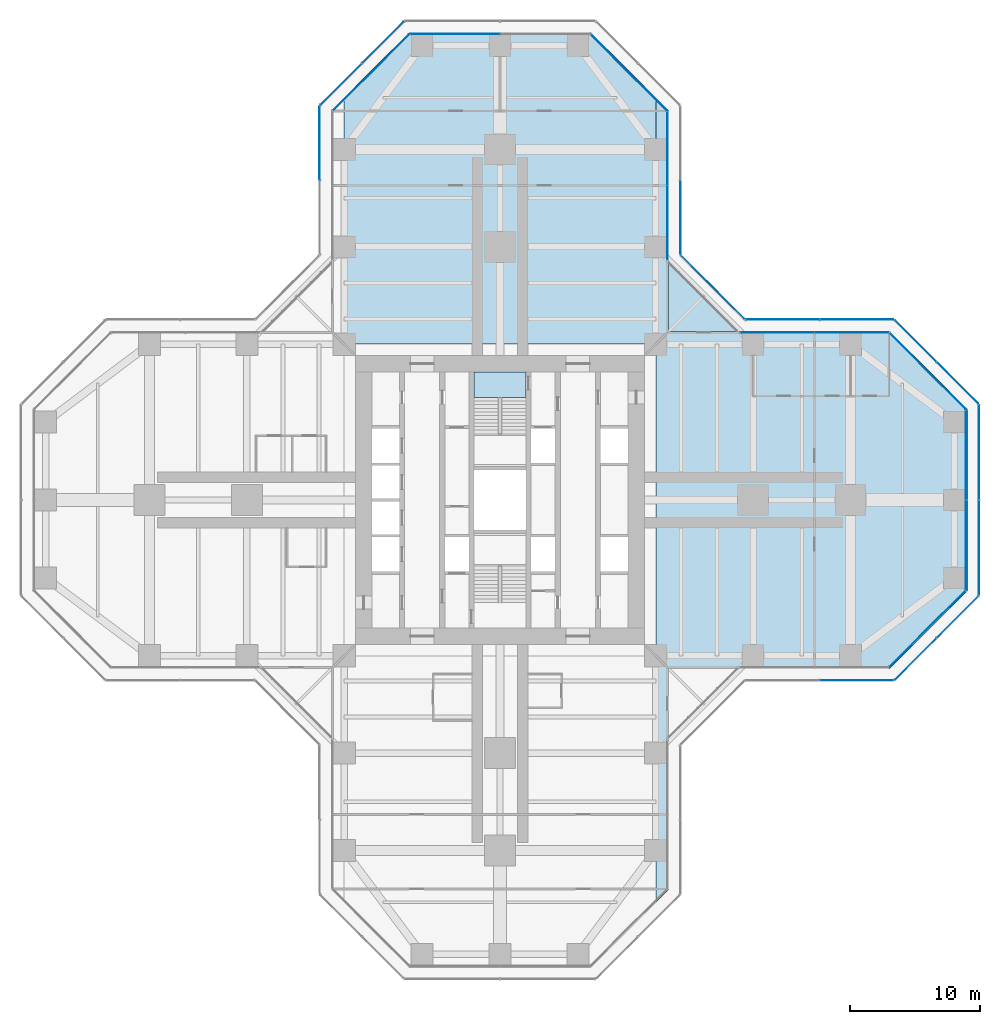
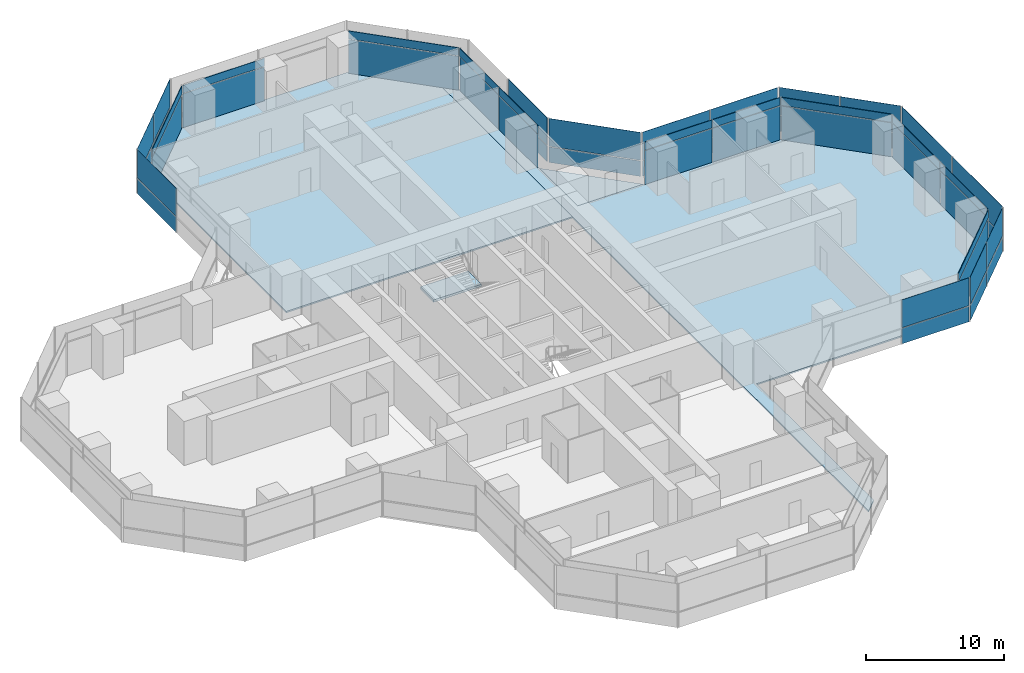
# One storey, part 16 of 22: 50 plates, 4 slabs, 18 elements without a shape of their own.
"""IFC4 building model written with IfcOpenShell, lengths in metres."""

from ifc_helpers import new_model, si_unit, direction, frame, origin, origin_2d, place, context, subcontext, project, spatial, polyline, rectangle, outline, extrude, material, layer, layer_set, type_object, element, aggregate, save


model = new_model("IFC4")

# Units and contexts
model_context = context("Model", 3, precision=1e-05, world=origin(), true_north=direction((0.0, 1.0)))
body_context = subcontext(model_context, "Body", "Model", "MODEL_VIEW")
ifc_project = project(units=[si_unit("LENGTHUNIT", "METRE"), si_unit("AREAUNIT", "SQUARE_METRE"), si_unit("VOLUMEUNIT", "CUBIC_METRE"), si_unit("PLANEANGLEUNIT", "RADIAN"), si_unit("MASSUNIT", "GRAM", prefix="KILO")], contexts=[model_context])

# Site, building, storey
site_placement = place(None, origin())
site = spatial("IfcSite", under=ifc_project, at=site_placement, CompositionType="ELEMENT")
building_placement = place(site_placement, origin())
building = spatial("IfcBuilding", under=site, at=building_placement, Name="Mizan Broadcast Tower", CompositionType="ELEMENT")
storey_placement = place(building_placement, frame((0.0, 0.0, 94.199951171875)))
storey = spatial("IfcBuildingStorey", under=building, at=storey_placement, Name="L20", CompositionType="ELEMENT", Elevation=94.199951171875)

# Slabs
ifc_material_1 = material(Name="Concrete C32/40", Category="concrete")
ifc_layer_1 = layer(ifc_material_1, 0.1298828125)
ifc_layer_set_1 = layer_set([ifc_layer_1], Name="Concrete C32/40")
slab_type_1 = type_object("IfcSlabType", Name="COMPOSITE DECK SLAB 130", PredefinedType="FLOOR", material=ifc_layer_set_1)
slab_1_placement = place(storey_placement, frame((0.0, 0.0, -0.1298828125)))
element("IfcSlab", 1, at=slab_1_placement, inside=storey, type_object=slab_type_1, Name="Floor slab L20 east arm", PredefinedType="FLOOR", context=body_context, shape_type="SweptSolid", body=[
    extrude(outline(polyline([(12.0, -31.0), (13.0, -30.0), (13.0, -13.0), (30.0, -13.0), (36.0, -7.0), (36.0, 7.0), (30.0, 13.0), (13.0, 13.0), (13.0, 30.0), (12.0, 31.0), (12.0, -31.0)])), origin(), (0.0, 0.0, 1.0), 0.1298828125),
])
slab_2_placement = place(storey_placement, frame((0.0, 0.0, -0.1298828125)))
element("IfcSlab", 2, at=slab_2_placement, inside=storey, type_object=slab_type_1, Name="Floor slab L20 north arm", PredefinedType="FLOOR", context=body_context, shape_type="SweptSolid", body=[
    extrude(outline(polyline([(-7.0, 36.0), (-12.0, 31.0), (-12.0, 12.0), (12.0, 12.0), (12.0, 31.0), (7.0, 36.0), (-7.0, 36.0)])), origin(), (0.0, 0.0, 1.0), 0.1298828125),
])

# Curtain wall, plate
ifc_material_2 = material(Name="Aluminium framed glazing", Category="aluminium")
curtain_wall_type_1 = type_object("IfcCurtainWallType", Name="INNER SKIN LOW ZONE", PredefinedType="USERDEFINED", material=ifc_material_2)
curtain_wall_1_placement = place(storey_placement, origin())
curtain_wall_1 = element("IfcCurtainWall", 3, at=curtain_wall_1_placement, inside=storey, type_object=curtain_wall_type_1, Name="Inner skin low zone L20 E chamfer", ObjectType="INNER SKIN LOW ZONE", PredefinedType="USERDEFINED")
ifc_material_3 = material(Name="Double glazing, clear low-e", Category="glass")
ifc_layer_2 = layer(ifc_material_3, 0.028076171875)
ifc_layer_set_2 = layer_set([ifc_layer_2], Name="Double glazing, clear low-e")
plate_type_1 = type_object("IfcPlateType", Name="INNER SKIN GLAZING UNIT", PredefinedType="CURTAIN_PANEL", material=ifc_layer_set_2)
plate_1_placement = place(storey_placement, frame((32.92919921875, -9.92919921875, 0.0), z_axis=(0.0, 0.0, 1.0), x_axis=(0.707106781187, 0.707106781187, 0.0)))
plate_1 = element("IfcPlate", 4, at=plate_1_placement, type_object=plate_type_1, Name="Inner skin low zone L20 E chamfer panel 1.1", PredefinedType="CURTAIN_PANEL", context=body_context, shape_type="SweptSolid", body=[
    extrude(rectangle(XDim=8.282470703125, YDim=0.028076171875, at=origin_2d()), origin(), (0.0, 0.0, 1.0), 3.0),
])

# Curtain wall, plates
curtain_wall_2_placement = place(storey_placement, origin())
curtain_wall_2 = element("IfcCurtainWall", 5, at=curtain_wall_2_placement, inside=storey, type_object=curtain_wall_type_1, Name="Inner skin low zone L20 E end", ObjectType="INNER SKIN LOW ZONE", PredefinedType="USERDEFINED")
plate_2_placement = place(storey_placement, frame((35.89990234375, -3.46435546875, 0.0), z_axis=(0.0, 0.0, 1.0), x_axis=(0.0, 1.0, 0.0)))
plate_2 = element("IfcPlate", 6, at=plate_2_placement, type_object=plate_type_1, Name="Inner skin low zone L20 E end panel 1.1", PredefinedType="CURTAIN_PANEL", context=body_context, shape_type="SweptSolid", body=[
    extrude(rectangle(XDim=6.86865234375, YDim=0.028076171875, at=origin_2d()), origin(), (0.0, 0.0, 1.0), 3.0),
])
plate_3_placement = place(storey_placement, frame((35.89990234375, 3.46435546875, 0.0), z_axis=(0.0, 0.0, 1.0), x_axis=(0.0, 1.0, 0.0)))
plate_3 = element("IfcPlate", 7, at=plate_3_placement, type_object=plate_type_1, Name="Inner skin low zone L20 E end panel 2.1", PredefinedType="CURTAIN_PANEL", context=body_context, shape_type="SweptSolid", body=[
    extrude(rectangle(XDim=6.86865234375, YDim=0.028076171875, at=origin_2d()), origin(), (0.0, 0.0, 1.0), 3.0),
])

# Curtain wall, plate
curtain_wall_3_placement = place(storey_placement, origin())
curtain_wall_3 = element("IfcCurtainWall", 8, at=curtain_wall_3_placement, inside=storey, type_object=curtain_wall_type_1, Name="Inner skin low zone L20 E chamfer", ObjectType="INNER SKIN LOW ZONE", PredefinedType="USERDEFINED")
plate_4_placement = place(storey_placement, frame((32.92919921875, 9.92919921875, 0.0), z_axis=(0.0, 0.0, 1.0), x_axis=(-0.707106781187, 0.707106781187, 0.0)))
plate_4 = element("IfcPlate", 9, at=plate_4_placement, type_object=plate_type_1, Name="Inner skin low zone L20 E chamfer panel 1.1", PredefinedType="CURTAIN_PANEL", context=body_context, shape_type="SweptSolid", body=[
    extrude(rectangle(XDim=8.282470703125, YDim=0.028076171875, at=origin_2d()), origin(), (0.0, 0.0, 1.0), 3.0),
])

# Curtain wall, plates
curtain_wall_4_placement = place(storey_placement, origin())
curtain_wall_4 = element("IfcCurtainWall", 10, at=curtain_wall_4_placement, inside=storey, type_object=curtain_wall_type_1, Name="Inner skin low zone L20 E side", ObjectType="INNER SKIN LOW ZONE", PredefinedType="USERDEFINED")
plate_5_placement = place(storey_placement, frame((27.078857421875, 12.89990234375, 0.0), z_axis=(0.0, 0.0, 1.0), x_axis=(-1.0, 0.0, 0.0)))
plate_5 = element("IfcPlate", 11, at=plate_5_placement, type_object=plate_type_1, Name="Inner skin low zone L20 E side panel 1.1", PredefinedType="CURTAIN_PANEL", context=body_context, shape_type="SweptSolid", body=[
    extrude(rectangle(XDim=5.639404296875, YDim=0.028076171875, at=origin_2d()), origin(), (0.0, 0.0, 1.0), 3.0),
])
plate_6_placement = place(storey_placement, frame((21.379638671875, 12.89990234375, 0.0), z_axis=(0.0, 0.0, 1.0), x_axis=(-1.0, 0.0, 0.0)))
plate_6 = element("IfcPlate", 12, at=plate_6_placement, type_object=plate_type_1, Name="Inner skin low zone L20 E side panel 2.1", PredefinedType="CURTAIN_PANEL", context=body_context, shape_type="SweptSolid", body=[
    extrude(rectangle(XDim=5.639404296875, YDim=0.028076171875, at=origin_2d()), origin(), (0.0, 0.0, 1.0), 3.0),
])

curtain_wall_5_placement = place(storey_placement, origin())
curtain_wall_5 = element("IfcCurtainWall", 13, at=curtain_wall_5_placement, inside=storey, type_object=curtain_wall_type_1, Name="Inner skin low zone L20 N side", ObjectType="INNER SKIN LOW ZONE", PredefinedType="USERDEFINED")
plate_7_placement = place(storey_placement, frame((12.89990234375, 21.379638671875, 0.0), z_axis=(0.0, 0.0, 1.0), x_axis=(0.0, 1.0, 0.0)))
plate_7 = element("IfcPlate", 14, at=plate_7_placement, type_object=plate_type_1, Name="Inner skin low zone L20 N side panel 1.1", PredefinedType="CURTAIN_PANEL", context=body_context, shape_type="SweptSolid", body=[
    extrude(rectangle(XDim=5.639404296875, YDim=0.028076171875, at=origin_2d()), origin(), (0.0, 0.0, 1.0), 3.0),
])
plate_8_placement = place(storey_placement, frame((12.89990234375, 27.078857421875, 0.0), z_axis=(0.0, 0.0, 1.0), x_axis=(0.0, 1.0, 0.0)))
plate_8 = element("IfcPlate", 15, at=plate_8_placement, type_object=plate_type_1, Name="Inner skin low zone L20 N side panel 2.1", PredefinedType="CURTAIN_PANEL", context=body_context, shape_type="SweptSolid", body=[
    extrude(rectangle(XDim=5.639404296875, YDim=0.028076171875, at=origin_2d()), origin(), (0.0, 0.0, 1.0), 3.0),
])

# Curtain wall, plate
curtain_wall_6_placement = place(storey_placement, origin())
curtain_wall_6 = element("IfcCurtainWall", 16, at=curtain_wall_6_placement, inside=storey, type_object=curtain_wall_type_1, Name="Inner skin low zone L20 N chamfer", ObjectType="INNER SKIN LOW ZONE", PredefinedType="USERDEFINED")
plate_9_placement = place(storey_placement, frame((9.92919921875, 32.92919921875, 0.0), z_axis=(0.0, 0.0, 1.0), x_axis=(-0.707106781187, 0.707106781187, 0.0)))
plate_9 = element("IfcPlate", 17, at=plate_9_placement, type_object=plate_type_1, Name="Inner skin low zone L20 N chamfer panel 1.1", PredefinedType="CURTAIN_PANEL", context=body_context, shape_type="SweptSolid", body=[
    extrude(rectangle(XDim=8.282470703125, YDim=0.028076171875, at=origin_2d()), origin(), (0.0, 0.0, 1.0), 3.0),
])

curtain_wall_7_placement = place(storey_placement, origin())
curtain_wall_7 = element("IfcCurtainWall", 18, at=curtain_wall_7_placement, inside=storey, type_object=curtain_wall_type_1, Name="Inner skin low zone L20 N end", ObjectType="INNER SKIN LOW ZONE", PredefinedType="USERDEFINED")
plate_10_placement = place(storey_placement, frame((-3.46435546875, 35.89990234375, 0.0), z_axis=(0.0, 0.0, 1.0), x_axis=(-1.0, 0.0, 0.0)))
plate_10 = element("IfcPlate", 19, at=plate_10_placement, type_object=plate_type_1, Name="Inner skin low zone L20 N end panel 2.1", PredefinedType="CURTAIN_PANEL", context=body_context, shape_type="SweptSolid", body=[
    extrude(rectangle(XDim=6.86865234375, YDim=0.028076171875, at=origin_2d()), origin(), (0.0, 0.0, 1.0), 3.0),
])

curtain_wall_8_placement = place(storey_placement, origin())
curtain_wall_8 = element("IfcCurtainWall", 20, at=curtain_wall_8_placement, inside=storey, type_object=curtain_wall_type_1, Name="Inner skin low zone L20 N chamfer", ObjectType="INNER SKIN LOW ZONE", PredefinedType="USERDEFINED")
plate_11_placement = place(storey_placement, frame((-9.92919921875, 32.92919921875, 0.0), z_axis=(0.0, 0.0, 1.0), x_axis=(-0.707106781187, -0.707106781187, 0.0)))
plate_11 = element("IfcPlate", 21, at=plate_11_placement, type_object=plate_type_1, Name="Inner skin low zone L20 N chamfer panel 1.1", PredefinedType="CURTAIN_PANEL", context=body_context, shape_type="SweptSolid", body=[
    extrude(rectangle(XDim=8.282470703125, YDim=0.028076171875, at=origin_2d()), origin(), (0.0, 0.0, 1.0), 3.0),
])

# Plate
ifc_material_4 = material(Name="Insulated aluminium spandrel panel, pale anodised", Category="aluminium")
ifc_layer_3 = layer(ifc_material_4, 0.050048828125)
ifc_layer_set_3 = layer_set([ifc_layer_3], Name="Insulated aluminium spandrel panel, pale anodised")
plate_type_2 = type_object("IfcPlateType", Name="INNER SKIN SPANDREL PANEL", PredefinedType="CURTAIN_PANEL", material=ifc_layer_set_3)
plate_12_placement = place(storey_placement, frame((32.92919921875, -9.92919921875, 3.06005859375), z_axis=(0.0, 0.0, 1.0), x_axis=(0.707106781187, 0.707106781187, 0.0)))
plate_12 = element("IfcPlate", 22, at=plate_12_placement, type_object=plate_type_2, Name="Inner skin low zone L20 E chamfer panel 1.2", PredefinedType="CURTAIN_PANEL", context=body_context, shape_type="SweptSolid", body=[
    extrude(rectangle(XDim=8.282470703125, YDim=0.050048828125, at=origin_2d()), origin(), (0.0, 0.0, 1.0), 0.7099609375),
])

aggregate(curtain_wall_1, [plate_1, plate_12])

plate_13_placement = place(storey_placement, frame((35.89990234375, -3.46435546875, 3.06005859375), z_axis=(0.0, 0.0, 1.0), x_axis=(0.0, 1.0, 0.0)))
plate_13 = element("IfcPlate", 23, at=plate_13_placement, type_object=plate_type_2, Name="Inner skin low zone L20 E end panel 1.2", PredefinedType="CURTAIN_PANEL", context=body_context, shape_type="SweptSolid", body=[
    extrude(rectangle(XDim=6.86865234375, YDim=0.050048828125, at=origin_2d()), origin(), (0.0, 0.0, 1.0), 0.7099609375),
])

plate_14_placement = place(storey_placement, frame((35.89990234375, 3.46435546875, 3.06005859375), z_axis=(0.0, 0.0, 1.0), x_axis=(0.0, 1.0, 0.0)))
plate_14 = element("IfcPlate", 24, at=plate_14_placement, type_object=plate_type_2, Name="Inner skin low zone L20 E end panel 2.2", PredefinedType="CURTAIN_PANEL", context=body_context, shape_type="SweptSolid", body=[
    extrude(rectangle(XDim=6.86865234375, YDim=0.050048828125, at=origin_2d()), origin(), (0.0, 0.0, 1.0), 0.7099609375),
])

aggregate(curtain_wall_2, [plate_2, plate_13, plate_3, plate_14])

plate_15_placement = place(storey_placement, frame((32.92919921875, 9.92919921875, 3.06005859375), z_axis=(0.0, 0.0, 1.0), x_axis=(-0.707106781187, 0.707106781187, 0.0)))
plate_15 = element("IfcPlate", 25, at=plate_15_placement, type_object=plate_type_2, Name="Inner skin low zone L20 E chamfer panel 1.2", PredefinedType="CURTAIN_PANEL", context=body_context, shape_type="SweptSolid", body=[
    extrude(rectangle(XDim=8.282470703125, YDim=0.050048828125, at=origin_2d()), origin(), (0.0, 0.0, 1.0), 0.7099609375),
])

aggregate(curtain_wall_3, [plate_4, plate_15])

plate_16_placement = place(storey_placement, frame((27.078857421875, 12.89990234375, 3.06005859375), z_axis=(0.0, 0.0, 1.0), x_axis=(-1.0, 0.0, 0.0)))
plate_16 = element("IfcPlate", 26, at=plate_16_placement, type_object=plate_type_2, Name="Inner skin low zone L20 E side panel 1.2", PredefinedType="CURTAIN_PANEL", context=body_context, shape_type="SweptSolid", body=[
    extrude(rectangle(XDim=5.639404296875, YDim=0.050048828125, at=origin_2d()), origin(), (0.0, 0.0, 1.0), 0.7099609375),
])

plate_17_placement = place(storey_placement, frame((21.379638671875, 12.89990234375, 3.06005859375), z_axis=(0.0, 0.0, 1.0), x_axis=(-1.0, 0.0, 0.0)))
plate_17 = element("IfcPlate", 27, at=plate_17_placement, type_object=plate_type_2, Name="Inner skin low zone L20 E side panel 2.2", PredefinedType="CURTAIN_PANEL", context=body_context, shape_type="SweptSolid", body=[
    extrude(rectangle(XDim=5.639404296875, YDim=0.050048828125, at=origin_2d()), origin(), (0.0, 0.0, 1.0), 0.7099609375),
])

aggregate(curtain_wall_4, [plate_5, plate_16, plate_6, plate_17])

plate_18_placement = place(storey_placement, frame((12.89990234375, 21.379638671875, 3.06005859375), z_axis=(0.0, 0.0, 1.0), x_axis=(0.0, 1.0, 0.0)))
plate_18 = element("IfcPlate", 28, at=plate_18_placement, type_object=plate_type_2, Name="Inner skin low zone L20 N side panel 1.2", PredefinedType="CURTAIN_PANEL", context=body_context, shape_type="SweptSolid", body=[
    extrude(rectangle(XDim=5.639404296875, YDim=0.050048828125, at=origin_2d()), origin(), (0.0, 0.0, 1.0), 0.7099609375),
])

plate_19_placement = place(storey_placement, frame((12.89990234375, 27.078857421875, 3.06005859375), z_axis=(0.0, 0.0, 1.0), x_axis=(0.0, 1.0, 0.0)))
plate_19 = element("IfcPlate", 29, at=plate_19_placement, type_object=plate_type_2, Name="Inner skin low zone L20 N side panel 2.2", PredefinedType="CURTAIN_PANEL", context=body_context, shape_type="SweptSolid", body=[
    extrude(rectangle(XDim=5.639404296875, YDim=0.050048828125, at=origin_2d()), origin(), (0.0, 0.0, 1.0), 0.7099609375),
])

aggregate(curtain_wall_5, [plate_7, plate_18, plate_8, plate_19])

plate_20_placement = place(storey_placement, frame((9.92919921875, 32.92919921875, 3.06005859375), z_axis=(0.0, 0.0, 1.0), x_axis=(-0.707106781187, 0.707106781187, 0.0)))
plate_20 = element("IfcPlate", 30, at=plate_20_placement, type_object=plate_type_2, Name="Inner skin low zone L20 N chamfer panel 1.2", PredefinedType="CURTAIN_PANEL", context=body_context, shape_type="SweptSolid", body=[
    extrude(rectangle(XDim=8.282470703125, YDim=0.050048828125, at=origin_2d()), origin(), (0.0, 0.0, 1.0), 0.7099609375),
])

aggregate(curtain_wall_6, [plate_9, plate_20])

plate_21_placement = place(storey_placement, frame((-3.46435546875, 35.89990234375, 3.06005859375), z_axis=(0.0, 0.0, 1.0), x_axis=(-1.0, 0.0, 0.0)))
plate_21 = element("IfcPlate", 31, at=plate_21_placement, type_object=plate_type_2, Name="Inner skin low zone L20 N end panel 2.2", PredefinedType="CURTAIN_PANEL", context=body_context, shape_type="SweptSolid", body=[
    extrude(rectangle(XDim=6.86865234375, YDim=0.050048828125, at=origin_2d()), origin(), (0.0, 0.0, 1.0), 0.7099609375),
])

aggregate(curtain_wall_7, [plate_10, plate_21])

plate_22_placement = place(storey_placement, frame((-9.92919921875, 32.92919921875, 3.06005859375), z_axis=(0.0, 0.0, 1.0), x_axis=(-0.707106781187, -0.707106781187, 0.0)))
plate_22 = element("IfcPlate", 32, at=plate_22_placement, type_object=plate_type_2, Name="Inner skin low zone L20 N chamfer panel 1.2", PredefinedType="CURTAIN_PANEL", context=body_context, shape_type="SweptSolid", body=[
    extrude(rectangle(XDim=8.282470703125, YDim=0.050048828125, at=origin_2d()), origin(), (0.0, 0.0, 1.0), 0.7099609375),
])

aggregate(curtain_wall_8, [plate_11, plate_22])

# Curtain wall, plates
ifc_material_5 = material(Name="Aluminium framed glazing", Category="aluminium")
curtain_wall_type_2 = type_object("IfcCurtainWallType", Name="OUTER SKIN", PredefinedType="USERDEFINED", material=ifc_material_5)
curtain_wall_9_placement = place(storey_placement, origin())
curtain_wall_9 = element("IfcCurtainWall", 33, at=curtain_wall_9_placement, inside=storey, type_object=curtain_wall_type_2, Name="Outer skin L20 E chamfer", ObjectType="OUTER SKIN", PredefinedType="USERDEFINED")
ifc_material_6 = material(Name="Laminated clear glass", Category="glass")
ifc_layer_4 = layer(ifc_material_6, 0.02001953125)
ifc_layer_set_4 = layer_set([ifc_layer_4], Name="Laminated clear glass")
plate_type_3 = type_object("IfcPlateType", Name="OUTER SKIN CLEAR GLASS", PredefinedType="CURTAIN_PANEL", material=ifc_layer_set_4)
plate_23_placement = place(storey_placement, frame((32.018798828125, -12.254150390625, 0.0), z_axis=(0.0, 0.0, 1.0), x_axis=(0.707106781187, 0.707106781187, 0.0)))
plate_23 = element("IfcPlate", 34, at=plate_23_placement, type_object=plate_type_3, Name="Outer skin L20 E chamfer panel 1.1", PredefinedType="CURTAIN_PANEL", context=body_context, shape_type="SweptSolid", body=[
    extrude(rectangle(XDim=4.495361328125, YDim=0.02001953125, at=origin_2d()), origin(), (0.0, 0.0, 1.0), 1.3701171875),
])
plate_24_placement = place(storey_placement, frame((32.018798828125, -12.254150390625, 1.43017578125), z_axis=(0.0, 0.0, 1.0), x_axis=(0.707106781187, 0.707106781187, 0.0)))
plate_24 = element("IfcPlate", 35, at=plate_24_placement, type_object=plate_type_3, Name="Outer skin L20 E chamfer panel 1.2", PredefinedType="CURTAIN_PANEL", context=body_context, shape_type="SweptSolid", body=[
    extrude(rectangle(XDim=4.495361328125, YDim=0.02001953125, at=origin_2d()), origin(), (0.0, 0.0, 1.0), 2.469970703125),
])

curtain_wall_10_placement = place(storey_placement, origin())
curtain_wall_10 = element("IfcCurtainWall", 36, at=curtain_wall_10_placement, inside=storey, type_object=curtain_wall_type_2, Name="Outer skin L20 E end", ObjectType="OUTER SKIN", PredefinedType="USERDEFINED")
plate_25_placement = place(storey_placement, frame((36.89990234375, -3.66650390625, 0.0), z_axis=(0.0, 0.0, 1.0), x_axis=(0.0, 1.0, 0.0)))
plate_25 = element("IfcPlate", 37, at=plate_25_placement, type_object=plate_type_3, Name="Outer skin L20 E end panel 1.1", PredefinedType="CURTAIN_PANEL", context=body_context, shape_type="SweptSolid", body=[
    extrude(rectangle(XDim=7.252685546875, YDim=0.02001953125, at=origin_2d()), origin(), (0.0, 0.0, 1.0), 1.3701171875),
])
plate_26_placement = place(storey_placement, frame((36.89990234375, -3.66650390625, 1.43017578125), z_axis=(0.0, 0.0, 1.0), x_axis=(0.0, 1.0, 0.0)))
plate_26 = element("IfcPlate", 38, at=plate_26_placement, type_object=plate_type_3, Name="Outer skin L20 E end panel 1.2", PredefinedType="CURTAIN_PANEL", context=body_context, shape_type="SweptSolid", body=[
    extrude(rectangle(XDim=7.252685546875, YDim=0.02001953125, at=origin_2d()), origin(), (0.0, 0.0, 1.0), 2.469970703125),
])

curtain_wall_11_placement = place(storey_placement, origin())
curtain_wall_11 = element("IfcCurtainWall", 39, at=curtain_wall_11_placement, inside=storey, type_object=curtain_wall_type_2, Name="Outer skin L20 E chamfer", ObjectType="OUTER SKIN", PredefinedType="USERDEFINED")
plate_27_placement = place(storey_placement, frame((35.254150390625, 9.018798828125, 0.0), z_axis=(0.0, 0.0, 1.0), x_axis=(-0.707106781187, 0.707106781187, 0.0)))
plate_27 = element("IfcPlate", 40, at=plate_27_placement, type_object=plate_type_3, Name="Outer skin L20 E chamfer panel 1.1", PredefinedType="CURTAIN_PANEL", context=body_context, shape_type="SweptSolid", body=[
    extrude(rectangle(XDim=4.495361328125, YDim=0.02001953125, at=origin_2d()), origin(), (0.0, 0.0, 1.0), 1.3701171875),
])
plate_28_placement = place(storey_placement, frame((35.254150390625, 9.018798828125, 1.43017578125), z_axis=(0.0, 0.0, 1.0), x_axis=(-0.707106781187, 0.707106781187, 0.0)))
plate_28 = element("IfcPlate", 41, at=plate_28_placement, type_object=plate_type_3, Name="Outer skin L20 E chamfer panel 1.2", PredefinedType="CURTAIN_PANEL", context=body_context, shape_type="SweptSolid", body=[
    extrude(rectangle(XDim=4.495361328125, YDim=0.02001953125, at=origin_2d()), origin(), (0.0, 0.0, 1.0), 2.469970703125),
])

curtain_wall_12_placement = place(storey_placement, origin())
curtain_wall_12 = element("IfcCurtainWall", 42, at=curtain_wall_12_placement, inside=storey, type_object=curtain_wall_type_2, Name="Outer skin L20 E side", ObjectType="OUTER SKIN", PredefinedType="USERDEFINED")
plate_29_placement = place(storey_placement, frame((27.477783203125, 13.89990234375, 0.0), z_axis=(0.0, 0.0, 1.0), x_axis=(-1.0, 0.0, 0.0)))
plate_29 = element("IfcPlate", 43, at=plate_29_placement, type_object=plate_type_3, Name="Outer skin L20 E side panel 1.1", PredefinedType="CURTAIN_PANEL", context=body_context, shape_type="SweptSolid", body=[
    extrude(rectangle(XDim=5.6298828125, YDim=0.02001953125, at=origin_2d()), origin(), (0.0, 0.0, 1.0), 1.3701171875),
])
plate_30_placement = place(storey_placement, frame((27.477783203125, 13.89990234375, 1.43017578125), z_axis=(0.0, 0.0, 1.0), x_axis=(-1.0, 0.0, 0.0)))
plate_30 = element("IfcPlate", 44, at=plate_30_placement, type_object=plate_type_3, Name="Outer skin L20 E side panel 1.2", PredefinedType="CURTAIN_PANEL", context=body_context, shape_type="SweptSolid", body=[
    extrude(rectangle(XDim=5.6298828125, YDim=0.02001953125, at=origin_2d()), origin(), (0.0, 0.0, 1.0), 2.469970703125),
])
plate_31_placement = place(storey_placement, frame((21.767822265625, 13.89990234375, 0.0), z_axis=(0.0, 0.0, 1.0), x_axis=(-1.0, 0.0, 0.0)))
plate_31 = element("IfcPlate", 45, at=plate_31_placement, type_object=plate_type_3, Name="Outer skin L20 E side panel 2.1", PredefinedType="CURTAIN_PANEL", context=body_context, shape_type="SweptSolid", body=[
    extrude(rectangle(XDim=5.6298828125, YDim=0.02001953125, at=origin_2d()), origin(), (0.0, 0.0, 1.0), 1.3701171875),
])
plate_32_placement = place(storey_placement, frame((21.767822265625, 13.89990234375, 1.43017578125), z_axis=(0.0, 0.0, 1.0), x_axis=(-1.0, 0.0, 0.0)))
plate_32 = element("IfcPlate", 46, at=plate_32_placement, type_object=plate_type_3, Name="Outer skin L20 E side panel 2.2", PredefinedType="CURTAIN_PANEL", context=body_context, shape_type="SweptSolid", body=[
    extrude(rectangle(XDim=5.6298828125, YDim=0.02001953125, at=origin_2d()), origin(), (0.0, 0.0, 1.0), 2.469970703125),
])
aggregate(curtain_wall_12, [plate_29, plate_30, plate_31, plate_32])

curtain_wall_13_placement = place(storey_placement, origin())
curtain_wall_13 = element("IfcCurtainWall", 47, at=curtain_wall_13_placement, inside=storey, type_object=curtain_wall_type_2, Name="Outer skin L20 E chamfer", ObjectType="OUTER SKIN", PredefinedType="USERDEFINED")
plate_33_placement = place(storey_placement, frame((16.386474609375, 16.386474609375, 0.0), z_axis=(0.0, 0.0, 1.0), x_axis=(-0.707106781187, 0.707106781187, 0.0)))
plate_33 = element("IfcPlate", 48, at=plate_33_placement, type_object=plate_type_3, Name="Outer skin L20 E chamfer panel 1.1", PredefinedType="CURTAIN_PANEL", context=body_context, shape_type="SweptSolid", body=[
    extrude(rectangle(XDim=6.87255859375, YDim=0.02001953125, at=origin_2d()), origin(), (0.0, 0.0, 1.0), 1.3701171875),
])
plate_34_placement = place(storey_placement, frame((16.386474609375, 16.386474609375, 1.43017578125), z_axis=(0.0, 0.0, 1.0), x_axis=(-0.707106781187, 0.707106781187, 0.0)))
plate_34 = element("IfcPlate", 49, at=plate_34_placement, type_object=plate_type_3, Name="Outer skin L20 E chamfer panel 1.2", PredefinedType="CURTAIN_PANEL", context=body_context, shape_type="SweptSolid", body=[
    extrude(rectangle(XDim=6.87255859375, YDim=0.02001953125, at=origin_2d()), origin(), (0.0, 0.0, 1.0), 2.469970703125),
])
aggregate(curtain_wall_13, [plate_33, plate_34])

curtain_wall_14_placement = place(storey_placement, origin())
curtain_wall_14 = element("IfcCurtainWall", 50, at=curtain_wall_14_placement, inside=storey, type_object=curtain_wall_type_2, Name="Outer skin L20 N side", ObjectType="OUTER SKIN", PredefinedType="USERDEFINED")
plate_35_placement = place(storey_placement, frame((13.89990234375, 21.767822265625, 0.0), z_axis=(0.0, 0.0, 1.0), x_axis=(0.0, 1.0, 0.0)))
plate_35 = element("IfcPlate", 51, at=plate_35_placement, type_object=plate_type_3, Name="Outer skin L20 N side panel 1.1", PredefinedType="CURTAIN_PANEL", context=body_context, shape_type="SweptSolid", body=[
    extrude(rectangle(XDim=5.6298828125, YDim=0.02001953125, at=origin_2d()), origin(), (0.0, 0.0, 1.0), 1.3701171875),
])
plate_36_placement = place(storey_placement, frame((13.89990234375, 21.767822265625, 1.43017578125), z_axis=(0.0, 0.0, 1.0), x_axis=(0.0, 1.0, 0.0)))
plate_36 = element("IfcPlate", 52, at=plate_36_placement, type_object=plate_type_3, Name="Outer skin L20 N side panel 1.2", PredefinedType="CURTAIN_PANEL", context=body_context, shape_type="SweptSolid", body=[
    extrude(rectangle(XDim=5.6298828125, YDim=0.02001953125, at=origin_2d()), origin(), (0.0, 0.0, 1.0), 2.469970703125),
])
aggregate(curtain_wall_14, [plate_35, plate_36])

curtain_wall_15_placement = place(storey_placement, origin())
curtain_wall_15 = element("IfcCurtainWall", 53, at=curtain_wall_15_placement, inside=storey, type_object=curtain_wall_type_2, Name="Outer skin L20 N chamfer", ObjectType="OUTER SKIN", PredefinedType="USERDEFINED")
plate_37_placement = place(storey_placement, frame((-9.018798828125, 35.254150390625, 0.0), z_axis=(0.0, 0.0, 1.0), x_axis=(-0.707106781187, -0.707106781187, 0.0)))
plate_37 = element("IfcPlate", 54, at=plate_37_placement, type_object=plate_type_3, Name="Outer skin L20 N chamfer panel 1.1", PredefinedType="CURTAIN_PANEL", context=body_context, shape_type="SweptSolid", body=[
    extrude(rectangle(XDim=4.495361328125, YDim=0.02001953125, at=origin_2d()), origin(), (0.0, 0.0, 1.0), 1.3701171875),
])
plate_38_placement = place(storey_placement, frame((-9.018798828125, 35.254150390625, 1.43017578125), z_axis=(0.0, 0.0, 1.0), x_axis=(-0.707106781187, -0.707106781187, 0.0)))
plate_38 = element("IfcPlate", 55, at=plate_38_placement, type_object=plate_type_3, Name="Outer skin L20 N chamfer panel 1.2", PredefinedType="CURTAIN_PANEL", context=body_context, shape_type="SweptSolid", body=[
    extrude(rectangle(XDim=4.495361328125, YDim=0.02001953125, at=origin_2d()), origin(), (0.0, 0.0, 1.0), 2.469970703125),
])

curtain_wall_16_placement = place(storey_placement, origin())
curtain_wall_16 = element("IfcCurtainWall", 56, at=curtain_wall_16_placement, inside=storey, type_object=curtain_wall_type_2, Name="Outer skin L20 N side", ObjectType="OUTER SKIN", PredefinedType="USERDEFINED")
plate_39_placement = place(storey_placement, frame((-13.89990234375, 27.477783203125, 0.0), z_axis=(0.0, 0.0, 1.0), x_axis=(0.0, -1.0, 0.0)))
plate_39 = element("IfcPlate", 57, at=plate_39_placement, type_object=plate_type_3, Name="Outer skin L20 N side panel 1.1", PredefinedType="CURTAIN_PANEL", context=body_context, shape_type="SweptSolid", body=[
    extrude(rectangle(XDim=5.6298828125, YDim=0.02001953125, at=origin_2d()), origin(), (0.0, 0.0, 1.0), 1.3701171875),
])
plate_40_placement = place(storey_placement, frame((-13.89990234375, 27.477783203125, 1.43017578125), z_axis=(0.0, 0.0, 1.0), x_axis=(0.0, -1.0, 0.0)))
plate_40 = element("IfcPlate", 58, at=plate_40_placement, type_object=plate_type_3, Name="Outer skin L20 N side panel 1.2", PredefinedType="CURTAIN_PANEL", context=body_context, shape_type="SweptSolid", body=[
    extrude(rectangle(XDim=5.6298828125, YDim=0.02001953125, at=origin_2d()), origin(), (0.0, 0.0, 1.0), 2.469970703125),
])
aggregate(curtain_wall_16, [plate_39, plate_40])

# Plate
ifc_material_7 = material(Name="Perforated aluminium, pale anodised", Category="aluminium")
ifc_layer_5 = layer(ifc_material_7, 0.011962890625)
ifc_layer_set_5 = layer_set([ifc_layer_5], Name="Perforated aluminium, pale anodised")
plate_type_4 = type_object("IfcPlateType", Name="OUTER SKIN PERFORATED SCREEN", PredefinedType="USERDEFINED", material=ifc_layer_set_5)
plate_41_placement = place(storey_placement, frame((35.254150390625, -9.018798828125, 0.0), z_axis=(0.0, 0.0, 1.0), x_axis=(0.707106781187, 0.707106781187, 0.0)))
plate_41 = element("IfcPlate", 59, at=plate_41_placement, type_object=plate_type_4, Name="Outer skin L20 E chamfer panel 2.1", ObjectType="SCREEN", PredefinedType="USERDEFINED", context=body_context, shape_type="SweptSolid", body=[
    extrude(rectangle(XDim=4.495361328125, YDim=0.011962890625, at=origin_2d()), origin(), (0.0, 0.0, 1.0), 1.3701171875),
])

plate_42_placement = place(storey_placement, frame((35.254150390625, -9.018798828125, 1.43017578125), z_axis=(0.0, 0.0, 1.0), x_axis=(0.707106781187, 0.707106781187, 0.0)))
plate_42 = element("IfcPlate", 60, at=plate_42_placement, type_object=plate_type_4, Name="Outer skin L20 E chamfer panel 2.2", ObjectType="SCREEN", PredefinedType="USERDEFINED", context=body_context, shape_type="SweptSolid", body=[
    extrude(rectangle(XDim=4.495361328125, YDim=0.011962890625, at=origin_2d()), origin(), (0.0, 0.0, 1.0), 2.469970703125),
])

aggregate(curtain_wall_9, [plate_23, plate_24, plate_41, plate_42])

plate_43_placement = place(storey_placement, frame((36.89990234375, 3.66650390625, 0.0), z_axis=(0.0, 0.0, 1.0), x_axis=(0.0, 1.0, 0.0)))
plate_43 = element("IfcPlate", 61, at=plate_43_placement, type_object=plate_type_4, Name="Outer skin L20 E end panel 2.1", ObjectType="SCREEN", PredefinedType="USERDEFINED", context=body_context, shape_type="SweptSolid", body=[
    extrude(rectangle(XDim=7.252685546875, YDim=0.011962890625, at=origin_2d()), origin(), (0.0, 0.0, 1.0), 1.3701171875),
])

plate_44_placement = place(storey_placement, frame((36.89990234375, 3.66650390625, 1.43017578125), z_axis=(0.0, 0.0, 1.0), x_axis=(0.0, 1.0, 0.0)))
plate_44 = element("IfcPlate", 62, at=plate_44_placement, type_object=plate_type_4, Name="Outer skin L20 E end panel 2.2", ObjectType="SCREEN", PredefinedType="USERDEFINED", context=body_context, shape_type="SweptSolid", body=[
    extrude(rectangle(XDim=7.252685546875, YDim=0.011962890625, at=origin_2d()), origin(), (0.0, 0.0, 1.0), 2.469970703125),
])

aggregate(curtain_wall_10, [plate_25, plate_26, plate_43, plate_44])

plate_45_placement = place(storey_placement, frame((32.018798828125, 12.254150390625, 0.0), z_axis=(0.0, 0.0, 1.0), x_axis=(-0.707106781187, 0.707106781187, 0.0)))
plate_45 = element("IfcPlate", 63, at=plate_45_placement, type_object=plate_type_4, Name="Outer skin L20 E chamfer panel 2.1", ObjectType="SCREEN", PredefinedType="USERDEFINED", context=body_context, shape_type="SweptSolid", body=[
    extrude(rectangle(XDim=4.495361328125, YDim=0.011962890625, at=origin_2d()), origin(), (0.0, 0.0, 1.0), 1.3701171875),
])

plate_46_placement = place(storey_placement, frame((32.018798828125, 12.254150390625, 1.43017578125), z_axis=(0.0, 0.0, 1.0), x_axis=(-0.707106781187, 0.707106781187, 0.0)))
plate_46 = element("IfcPlate", 64, at=plate_46_placement, type_object=plate_type_4, Name="Outer skin L20 E chamfer panel 2.2", ObjectType="SCREEN", PredefinedType="USERDEFINED", context=body_context, shape_type="SweptSolid", body=[
    extrude(rectangle(XDim=4.495361328125, YDim=0.011962890625, at=origin_2d()), origin(), (0.0, 0.0, 1.0), 2.469970703125),
])

aggregate(curtain_wall_11, [plate_27, plate_28, plate_45, plate_46])

plate_47_placement = place(storey_placement, frame((-12.254150390625, 32.018798828125, 0.0), z_axis=(0.0, 0.0, 1.0), x_axis=(-0.707106781187, -0.707106781187, 0.0)))
plate_47 = element("IfcPlate", 65, at=plate_47_placement, type_object=plate_type_4, Name="Outer skin L20 N chamfer panel 2.1", ObjectType="SCREEN", PredefinedType="USERDEFINED", context=body_context, shape_type="SweptSolid", body=[
    extrude(rectangle(XDim=4.495361328125, YDim=0.011962890625, at=origin_2d()), origin(), (0.0, 0.0, 1.0), 1.3701171875),
])

plate_48_placement = place(storey_placement, frame((-12.254150390625, 32.018798828125, 1.43017578125), z_axis=(0.0, 0.0, 1.0), x_axis=(-0.707106781187, -0.707106781187, 0.0)))
plate_48 = element("IfcPlate", 66, at=plate_48_placement, type_object=plate_type_4, Name="Outer skin L20 N chamfer panel 2.2", ObjectType="SCREEN", PredefinedType="USERDEFINED", context=body_context, shape_type="SweptSolid", body=[
    extrude(rectangle(XDim=4.495361328125, YDim=0.011962890625, at=origin_2d()), origin(), (0.0, 0.0, 1.0), 2.469970703125),
])

aggregate(curtain_wall_15, [plate_37, plate_38, plate_47, plate_48])

# Curtain wall, plates
curtain_wall_17_placement = place(storey_placement, origin())
curtain_wall_17 = element("IfcCurtainWall", 67, at=curtain_wall_17_placement, inside=storey, type_object=curtain_wall_type_2, Name="Outer skin L20 E side", ObjectType="OUTER SKIN", PredefinedType="USERDEFINED")
plate_49_placement = place(storey_placement, frame((27.477783203125, -13.89990234375, 0.0), z_axis=(0.0, 0.0, 1.0), x_axis=(1.0, 0.0, 0.0)))
plate_49 = element("IfcPlate", 68, at=plate_49_placement, type_object=plate_type_4, Name="Outer skin L20 E side panel 2.1", ObjectType="SCREEN", PredefinedType="USERDEFINED", context=body_context, shape_type="SweptSolid", body=[
    extrude(rectangle(XDim=5.6298828125, YDim=0.011962890625, at=origin_2d()), origin(), (0.0, 0.0, 1.0), 1.3701171875),
])
plate_50_placement = place(storey_placement, frame((27.477783203125, -13.89990234375, 1.43017578125), z_axis=(0.0, 0.0, 1.0), x_axis=(1.0, 0.0, 0.0)))
plate_50 = element("IfcPlate", 69, at=plate_50_placement, type_object=plate_type_4, Name="Outer skin L20 E side panel 2.2", ObjectType="SCREEN", PredefinedType="USERDEFINED", context=body_context, shape_type="SweptSolid", body=[
    extrude(rectangle(XDim=5.6298828125, YDim=0.011962890625, at=origin_2d()), origin(), (0.0, 0.0, 1.0), 2.469970703125),
])
aggregate(curtain_wall_17, [plate_49, plate_50])

# Stair, slab
ifc_material_8 = material(Name="Concrete C40/50", Category="concrete")
stair_type = type_object("IfcStairType", Name="EXIT STAIR", PredefinedType="HALF_TURN_STAIR", material=ifc_material_8)
stair_placement = place(storey_placement, origin())
stair = element("IfcStair", 70, at=stair_placement, inside=storey, type_object=stair_type, Name="Stair B L20", PredefinedType="HALF_TURN_STAIR")
ifc_material_9 = material(Name="Concrete C40/50", Category="concrete")
ifc_layer_6 = layer(ifc_material_9, 0.199951171875)
ifc_layer_set_6 = layer_set([ifc_layer_6], Name="Concrete C40/50")
slab_type_2 = type_object("IfcSlabType", Name="STAIR LANDING 200", PredefinedType="LANDING", material=ifc_layer_set_6)
slab_3_placement = place(storey_placement, frame((0.0, 0.0, -0.199951171875)))
slab_3 = element("IfcSlab", 71, at=slab_3_placement, type_object=slab_type_2, Name="B landing 1", PredefinedType="LANDING", context=body_context, shape_type="SweptSolid", body=[
    extrude(outline(polyline([(2.0, 9.85009765625), (2.0, 7.89990234375), (-2.0, 7.89990234375), (-2.0, 9.85009765625), (2.0, 9.85009765625)])), origin(), (0.0, 0.0, 1.0), 0.199951171875),
])
aggregate(stair, [slab_3])

# Slab
ifc_material_10 = material(Name="Concrete C32/40", Category="concrete")
ifc_layer_7 = layer(ifc_material_10, 0.1298828125)
ifc_layer_set_7 = layer_set([ifc_layer_7], Name="Concrete C32/40")
slab_type_3 = type_object("IfcSlabType", Name="WINTER GARDEN SLAB 130", PredefinedType="FLOOR", material=ifc_layer_set_7)
slab_4_placement = place(storey_placement, frame((0.0, 0.0, -0.1298828125)))
element("IfcSlab", 72, at=slab_4_placement, inside=storey, type_object=slab_type_3, Name="Winter garden slab L20 E", PredefinedType="FLOOR", context=body_context, shape_type="SweptSolid", body=[
    extrude(outline(polyline([(13.0, 13.0), (18.5, 13.0), (13.0, 18.5), (13.0, 13.0)])), origin(), (0.0, 0.0, 1.0), 0.1298828125),
])

save(model, "model.ifc")
